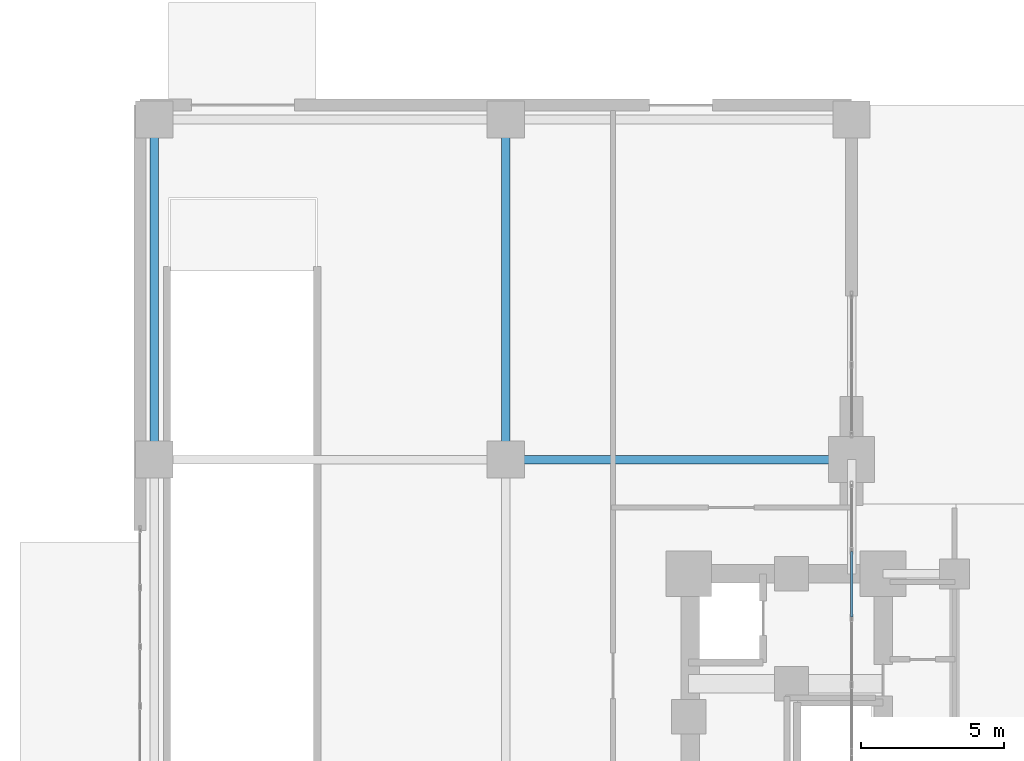
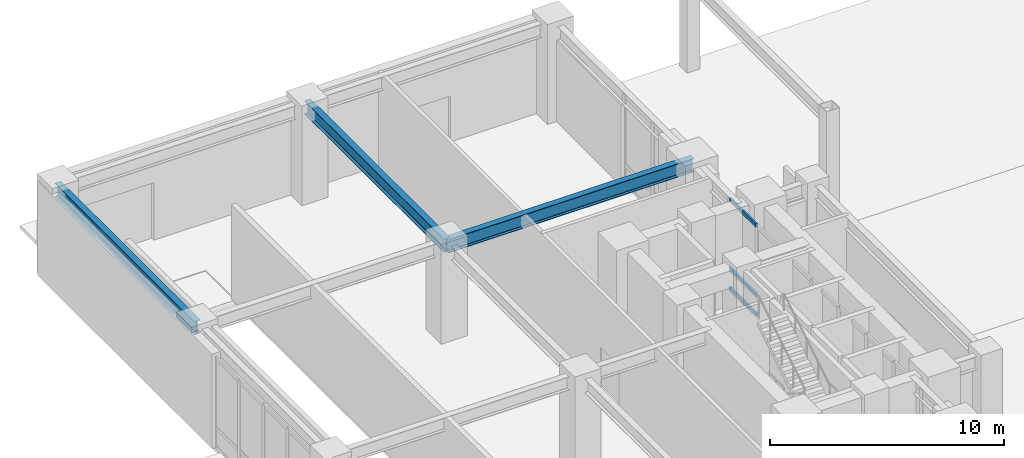
# One storey, part 11 of 23: 3 beams, 3 members, 1 element without a shape of its own.
"""IFC4 building model written with IfcOpenShell, lengths in metres."""

from ifc_helpers import new_model, si_unit, direction, frame, origin, origin_2d, place, context, subcontext, project, spatial, hollow_rectangle, i_section, extrude, material, layer, layer_set, material_profile, profile_set, type_object, element, aggregate, save


model = new_model("IFC4")

# Units and contexts
model_context = context("Model", 3, precision=1e-05, world=origin(), true_north=direction((0.0, 1.0)))
body_context = subcontext(model_context, "Body", "Model", "MODEL_VIEW")
ifc_project = project(units=[si_unit("LENGTHUNIT", "METRE"), si_unit("AREAUNIT", "SQUARE_METRE"), si_unit("VOLUMEUNIT", "CUBIC_METRE"), si_unit("PLANEANGLEUNIT", "RADIAN"), si_unit("MASSUNIT", "GRAM", prefix="KILO")], contexts=[model_context])

# Site, building, storey
site_placement = place(None, origin())
site = spatial("IfcSite", under=ifc_project, at=site_placement, CompositionType="ELEMENT")
building_placement = place(site_placement, origin())
building = spatial("IfcBuilding", under=site, at=building_placement, Name="Voryun Gate Residences", CompositionType="ELEMENT")
storey_placement = place(building_placement, origin())
storey = spatial("IfcBuildingStorey", under=building, at=storey_placement, Name="L00", CompositionType="ELEMENT", Elevation=0.0)

# Beams
ifc_material_1 = material(Name="Steel SM355", Category="steel")
ifc_material_profile_1 = material_profile(ifc_material_1, i_section(OverallWidth=0.300048828125, OverallDepth=0.699951171875, WebThickness=0.012939453125, FlangeThickness=0.02392578125, FilletRadius=0.01806640625, at=origin_2d()), Name="H-700x300x13x24")
ifc_profile_set_1 = profile_set([ifc_material_profile_1], Name="Steel SM355")
beam_type = type_object("IfcBeamType", Name="BM_GIRD_700", PredefinedType="USERDEFINED", material=ifc_profile_set_1)
beam_placement = place(storey_placement, frame((-25.60009765625, 11.39990234375, 4.570068359375), z_axis=(1.0, 0.0, 0.0), x_axis=(0.0, 1.0, 0.0)))
element("IfcBeam", 1, at=beam_placement, inside=storey, type_object=beam_type, Name="BM-L00-PWX-+11.4-1", ObjectType="GIRDER", PredefinedType="USERDEFINED", context=body_context, shape_type="SweptSolid", body=[
    extrude(i_section(OverallWidth=0.300048828125, OverallDepth=0.699951171875, WebThickness=0.012939453125, FlangeThickness=0.02392578125, FilletRadius=0.01806640625, at=origin_2d()), origin(), (0.0, 0.0, 1.0), 12.10009765625),
])
for number, where, z_axis, x_axis, name in (
    (2, (-37.89990234375, 11.39990234375, 4.570068359375), (0.0, 1.0, 0.0), (-1.0, 0.0, 0.0), "BM-L00-PWY--37.9-3"),
    (3, (-25.60009765625, 11.39990234375, 4.570068359375), (0.0, 1.0, 0.0), (-1.0, 0.0, 0.0), "BM-L00-PWY--25.6-3"),
):
    element("IfcBeam", number, at=place(storey_placement, frame(where, z_axis=z_axis, x_axis=x_axis)), inside=storey, type_object=beam_type, Name=name, ObjectType="GIRDER", PredefinedType="USERDEFINED", context=body_context, shape_type="SweptSolid", body=[
        extrude(i_section(OverallWidth=0.300048828125, OverallDepth=0.699951171875, WebThickness=0.012939453125, FlangeThickness=0.02392578125, FilletRadius=0.01806640625, at=origin_2d()), origin(), (0.0, 0.0, 1.0), 11.900146484375),
    ])

# Curtain wall, members
ifc_material_2 = material(Name="Anodised aluminium", Category="aluminium")
ifc_layer = layer(ifc_material_2, 0.239990234375, Name="CW_SYS_ARCH_DARK_GLASS")
ifc_layer_set = layer_set([ifc_layer], Name="Anodised aluminium")
curtain_wall_type = type_object("IfcCurtainWallType", Name="CW_SYS_ARCH_DARK_GLASS", PredefinedType="NOTDEFINED", material=ifc_layer_set)
curtain_wall_placement = place(storey_placement, origin())
curtain_wall = element("IfcCurtainWall", 4, at=curtain_wall_placement, inside=storey, type_object=curtain_wall_type, Name="Curtain wall CW2-L00-WP-M", PredefinedType="NOTDEFINED")
ifc_material_3 = material(Name="Anodised aluminium", Category="aluminium")
ifc_material_profile_2 = material_profile(ifc_material_3, hollow_rectangle(XDim=0.090087890625, YDim=0.199951171875, WallThickness=0.006103515625, at=origin_2d()), Name="ALU-TRAN-200x90x6")
ifc_profile_set_2 = profile_set([ifc_material_profile_2], Name="Anodised aluminium")
member_type = type_object("IfcMemberType", Name="CW_TRAN_ARCH", PredefinedType="USERDEFINED", material=ifc_profile_set_2)
member_1_placement = place(storey_placement, frame((-13.5, 5.893798828125, 0.030029296875), z_axis=(0.0, 1.0, 0.0), x_axis=(-1.0, 0.0, 0.0)))
member_1 = element("IfcMember", 5, at=member_1_placement, type_object=member_type, Name="CW2 transom 8.1", ObjectType="TRANSOM", PredefinedType="USERDEFINED", context=body_context, shape_type="SweptSolid", body=[
    extrude(hollow_rectangle(XDim=0.090087890625, YDim=0.199951171875, WallThickness=0.006103515625, at=origin_2d()), origin(), (0.0, 0.0, 1.0), 2.28564453125),
])
member_2_placement = place(storey_placement, frame((-13.5, 5.893798828125, 1.050048828125), z_axis=(0.0, 1.0, 0.0), x_axis=(-1.0, 0.0, 0.0)))
member_2 = element("IfcMember", 6, at=member_2_placement, type_object=member_type, Name="CW2 transom 8.2", ObjectType="TRANSOM", PredefinedType="USERDEFINED", context=body_context, shape_type="SweptSolid", body=[
    extrude(hollow_rectangle(XDim=0.090087890625, YDim=0.199951171875, WallThickness=0.006103515625, at=origin_2d()), origin(), (0.0, 0.0, 1.0), 2.28564453125),
])
member_3_placement = place(storey_placement, frame((-13.5, 5.893798828125, 4.669921875), z_axis=(0.0, 1.0, 0.0), x_axis=(-1.0, 0.0, 0.0)))
member_3 = element("IfcMember", 7, at=member_3_placement, type_object=member_type, Name="CW2 transom 8.3", ObjectType="TRANSOM", PredefinedType="USERDEFINED", context=body_context, shape_type="SweptSolid", body=[
    extrude(hollow_rectangle(XDim=0.090087890625, YDim=0.199951171875, WallThickness=0.006103515625, at=origin_2d()), origin(), (0.0, 0.0, 1.0), 2.28564453125),
])
aggregate(curtain_wall, [member_1, member_2, member_3])

save(model, "model.ifc")
